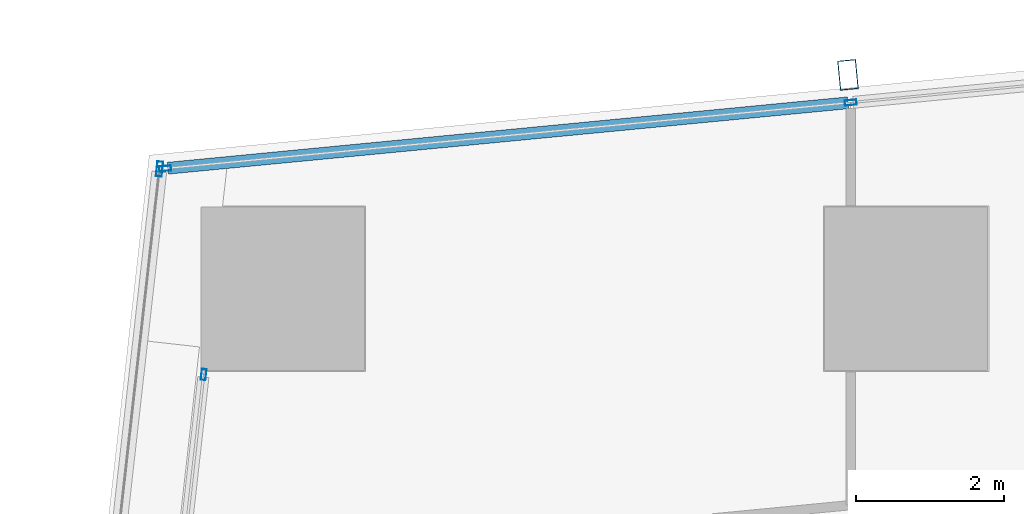
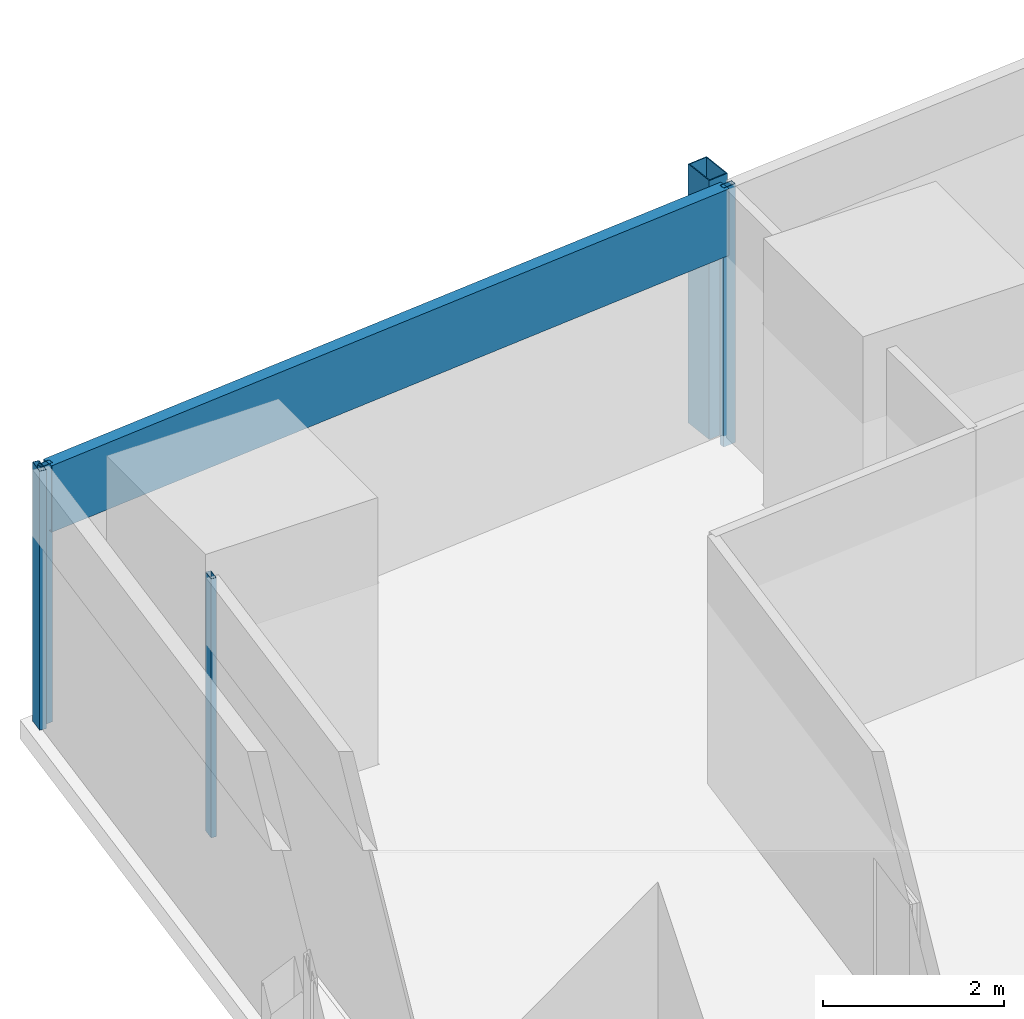
# One storey, part 16 of 44: 6 members, 3 elements without a shape of their own.
"""IFC4 building model written with IfcOpenShell, lengths in metres."""

from ifc_helpers import new_model, si_unit, direction, frame, origin, origin_2d, place, context, subcontext, project, spatial, hollow_rectangle, extrude, material, material_profile, profile_set, type_object, element, aggregate, save


model = new_model("IFC4")

# Units and contexts
model_context = context("Model", 3, precision=1e-05, world=origin(), true_north=direction((0.0, 1.0)))
body_context = subcontext(model_context, "Body", "Model", "MODEL_VIEW")
ifc_project = project(units=[si_unit("LENGTHUNIT", "METRE"), si_unit("AREAUNIT", "SQUARE_METRE"), si_unit("VOLUMEUNIT", "CUBIC_METRE"), si_unit("PLANEANGLEUNIT", "RADIAN"), si_unit("MASSUNIT", "GRAM", prefix="KILO")], contexts=[model_context])

# Site, building, storey
site_placement = place(None, origin())
site = spatial("IfcSite", under=ifc_project, at=site_placement, CompositionType="ELEMENT")
building_placement = place(site_placement, origin())
building = spatial("IfcBuilding", under=site, at=building_placement, Name="Rekha Terrace Tower", CompositionType="ELEMENT")
storey_placement = place(building_placement, frame((0.0, 0.0, 74.14990234375)))
storey = spatial("IfcBuildingStorey", under=building, at=storey_placement, Name="L18", CompositionType="ELEMENT", Elevation=74.14990234375)

# Curtain wall, member
ifc_material_1 = material(Name="Aluminium framing", Category="aluminium")
curtain_wall_type_1 = type_object("IfcCurtainWallType", Name="CW3 north unitised glazing", PredefinedType="USERDEFINED", material=ifc_material_1)
curtain_wall_1_placement = place(storey_placement, origin())
curtain_wall_1 = element("IfcCurtainWall", 1, at=curtain_wall_1_placement, inside=storey, type_object=curtain_wall_type_1, Name="CW3 unitised curtain wall", ObjectType="UNITISED CURTAIN WALL", PredefinedType="USERDEFINED")
ifc_material_2 = material(Name="Steel S355 with fluorocarbon finish", Category="steel")
ifc_material_profile_1 = material_profile(ifc_material_2, hollow_rectangle(XDim=0.25, YDim=0.39990234375, WallThickness=0.012451171875, at=origin_2d()), Name="RHS400x250x12.5")
ifc_profile_set_1 = profile_set([ifc_material_profile_1], Name="Steel S355 with fluorocarbon finish")
member_type_1 = type_object("IfcMemberType", Name="BL1 facade blade RHS 400 x 250", PredefinedType="USERDEFINED", material=ifc_profile_set_1)
member_1_placement = place(storey_placement, frame((16.01708984375, 61.681396484375, 0.0), z_axis=(0.0, 0.0, 1.0), x_axis=(-0.995409070123, -0.095711980009, 0.0)))
member_1 = element("IfcMember", 2, at=member_1_placement, type_object=member_type_1, Name="Facade blade", ObjectType="FACADE BLADE", PredefinedType="USERDEFINED", context=body_context, shape_type="SweptSolid", body=[
    extrude(hollow_rectangle(XDim=0.25, YDim=0.39990234375, WallThickness=0.012451171875, at=origin_2d()), origin(), (0.0, 0.0, 1.0), 3.5),
])

curtain_wall_type_2 = type_object("IfcCurtainWallType", Name="CW1 double skin inner glazing", PredefinedType="USERDEFINED", material=ifc_material_1)
curtain_wall_2_placement = place(storey_placement, origin())
curtain_wall_2 = element("IfcCurtainWall", 3, at=curtain_wall_2_placement, inside=storey, type_object=curtain_wall_type_2, Name="CW1 double skin inner glazing", ObjectType="DOUBLE SKIN INNER GLAZING", PredefinedType="USERDEFINED")
ifc_material_3 = material(Name="Aluminium mullion section", Category="aluminium")
ifc_material_profile_2 = material_profile(ifc_material_3, hollow_rectangle(XDim=0.06494140625, YDim=0.14990234375, WallThickness=0.00390625, at=origin_2d()), Name="AL RHS 65x150")
ifc_profile_set_2 = profile_set([ifc_material_profile_2], Name="Aluminium mullion section")
member_type_2 = type_object("IfcMemberType", Name="CW1 mullion RHS 65 x 150", PredefinedType="MULLION", material=ifc_profile_set_2)
member_2_placement = place(storey_placement, frame((7.334228515625, 57.643310546875, 0.0), z_axis=(0.0, 0.0, 1.0), x_axis=(0.993738615524, -0.111729870748, 0.0)))
member_2 = element("IfcMember", 4, at=member_2_placement, type_object=member_type_2, Name="CW1 mullion 1", PredefinedType="MULLION", context=body_context, shape_type="SweptSolid", body=[
    extrude(hollow_rectangle(XDim=0.06494140625, YDim=0.14990234375, WallThickness=0.00390625, at=origin_2d()), origin(), (0.0, 0.0, 1.0), 3.5),
])
aggregate(curtain_wall_2, [member_2])

curtain_wall_type_3 = type_object("IfcCurtainWallType", Name="CW2 double skin outer glazing", PredefinedType="USERDEFINED", material=ifc_material_1)
curtain_wall_3_placement = place(storey_placement, origin())
curtain_wall_3 = element("IfcCurtainWall", 5, at=curtain_wall_3_placement, inside=storey, type_object=curtain_wall_type_3, Name="CW2 double skin outer glazing", ObjectType="DOUBLE SKIN OUTER GLAZING", PredefinedType="USERDEFINED")
ifc_material_profile_3 = material_profile(ifc_material_3, hollow_rectangle(XDim=0.080078125, YDim=0.199951171875, WallThickness=0.00390625, at=origin_2d()), Name="AL RHS 80x200")
ifc_profile_set_3 = profile_set([ifc_material_profile_3], Name="Aluminium mullion section")
member_type_3 = type_object("IfcMemberType", Name="CW2 mullion RHS 80 x 200", PredefinedType="MULLION", material=ifc_profile_set_3)
member_3_placement = place(storey_placement, frame((6.739990234375, 60.413330078125, 0.0), z_axis=(0.0, 0.0, 1.0), x_axis=(0.99373861552, -0.111729870782, 0.0)))
member_3 = element("IfcMember", 6, at=member_3_placement, type_object=member_type_3, Name="CW2 mullion 1", PredefinedType="MULLION", context=body_context, shape_type="SweptSolid", body=[
    extrude(hollow_rectangle(XDim=0.080078125, YDim=0.199951171875, WallThickness=0.00390625, at=origin_2d()), origin(), (0.0, 0.0, 1.0), 3.5),
])
aggregate(curtain_wall_3, [member_3])

# Member
ifc_material_profile_4 = material_profile(ifc_material_3, hollow_rectangle(XDim=0.070068359375, YDim=0.159912109375, WallThickness=0.00390625, at=origin_2d()), Name="AL RHS 70x160")
ifc_profile_set_4 = profile_set([ifc_material_profile_4], Name="Aluminium mullion section")
member_type_4 = type_object("IfcMemberType", Name="CW3 mullion RHS 70 x 160", PredefinedType="MULLION", material=ifc_profile_set_4)
member_4_placement = place(storey_placement, frame((16.052978515625, 61.30810546875, 0.0), z_axis=(0.0, 0.0, 1.0), x_axis=(0.095712406625, -0.995409029102, 0.0)))
member_4 = element("IfcMember", 7, at=member_4_placement, type_object=member_type_4, Name="CW3 mullion 2", PredefinedType="MULLION", context=body_context, shape_type="SweptSolid", body=[
    extrude(hollow_rectangle(XDim=0.070068359375, YDim=0.159912109375, WallThickness=0.00390625, at=origin_2d()), origin(), (0.0, 0.0, 1.0), 3.5),
])

member_5_placement = place(storey_placement, frame((6.8154296875, 60.419677734375, 0.0), z_axis=(0.0, 0.0, 1.0), x_axis=(0.095712406625, -0.995409029102, 0.0)))
member_5 = element("IfcMember", 8, at=member_5_placement, type_object=member_type_4, Name="CW3 mullion 3", PredefinedType="MULLION", context=body_context, shape_type="SweptSolid", body=[
    extrude(hollow_rectangle(XDim=0.070068359375, YDim=0.159912109375, WallThickness=0.00390625, at=origin_2d()), origin(), (0.0, 0.0, 1.0), 3.5),
])

ifc_material_4 = material(Name="Insulated aluminium spandrel box", Category="aluminium")
ifc_material_profile_5 = material_profile(ifc_material_4, hollow_rectangle(XDim=0.159912109375, YDim=0.89990234375, WallThickness=0.0029296875, at=origin_2d()), Name="AL SPANDREL BOX 160x900")
ifc_profile_set_5 = profile_set([ifc_material_profile_5], Name="Insulated aluminium spandrel box")
member_type_5 = type_object("IfcMemberType", Name="CW3 spandrel transom 160 x 900", PredefinedType="USERDEFINED", material=ifc_profile_set_5)
member_6_placement = place(storey_placement, frame((16.018310546875, 61.3046875, 3.050048828125), z_axis=(-0.995408446287, -0.095718467713, 0.0), x_axis=(0.095718467713, -0.995408446287, 0.0)))
member_6 = element("IfcMember", 9, at=member_6_placement, type_object=member_type_5, Name="CW3 spandrel transom 2", ObjectType="TRANSOM", PredefinedType="USERDEFINED", context=body_context, shape_type="SweptSolid", body=[
    extrude(hollow_rectangle(XDim=0.159912109375, YDim=0.89990234375, WallThickness=0.0029296875, at=origin_2d()), origin(), (0.0, 0.0, 1.0), 9.210205078125),
])

aggregate(curtain_wall_1, [member_4, member_5, member_6, member_1])

save(model, "model.ifc")
